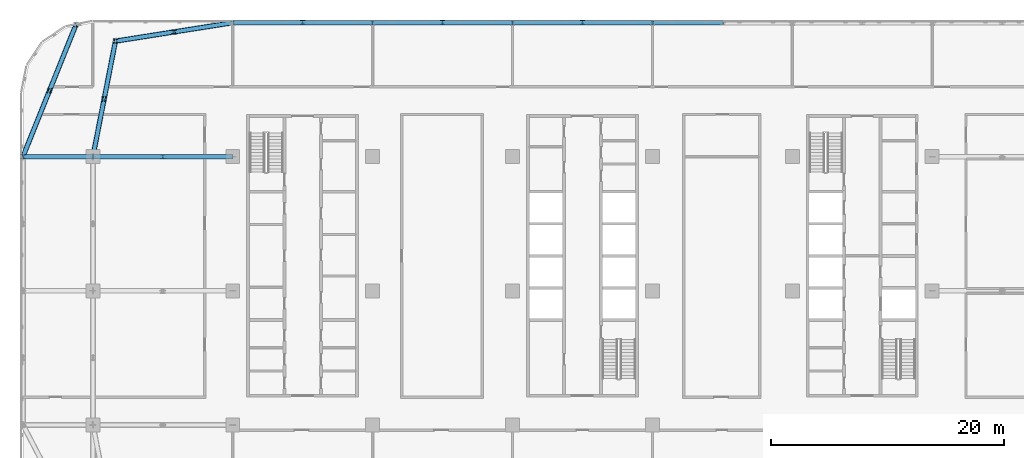
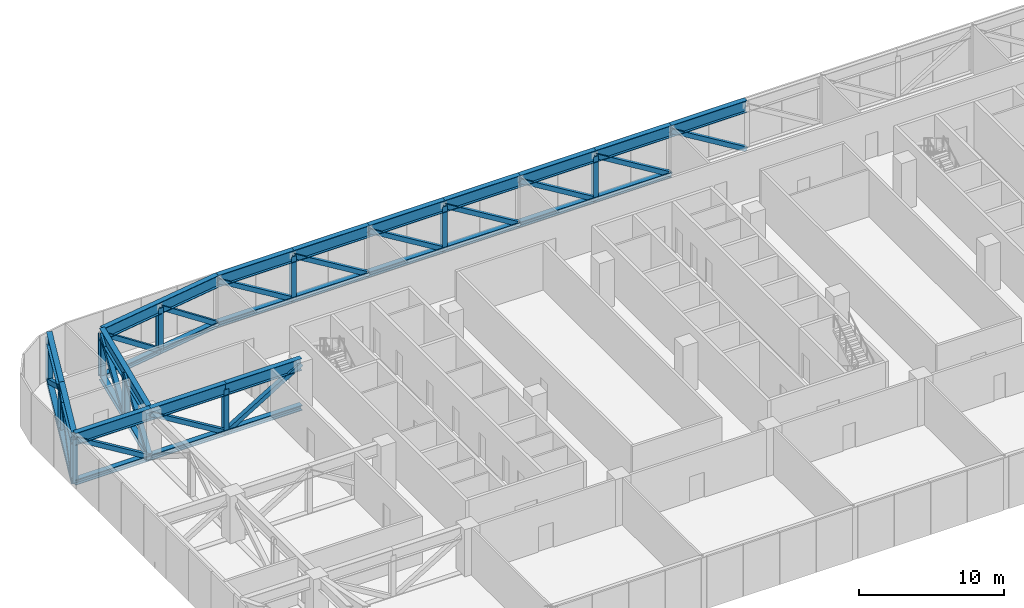
# One storey, part 5 of 26: 49 members.
"""IFC4 building model written with IfcOpenShell, lengths in metres."""

import ifcopenshell
import ifcopenshell.guid

model = None  # the IFC model being written
_history = None  # IfcOwnerHistory: only IFC2X3 demands one
_inside = {}  # id of a spatial element -> (the spatial element, [elements in it])
_under = {}  # id of a project, library or spatial element -> (it, [spatial elements below it])
_declared = {}  # id of a project -> (the project, [libraries it declares])
_typed = {}  # id of a type object -> (the type object, [elements of that type])
_made_of = {}  # id of a material, layer set ... -> (it, [elements and type objects made of it])


def new_model(schema):
    """Start an empty IFC model of exactly this schema.

    Asked for "IFC4X3", IfcOpenShell would pick the latest addendum, in which some entities
    have other attributes; the version numbers below select the first issue.
    IFC2X3 requires an IfcOwnerHistory on every rooted entity: one is made here for all.
    """
    global model, _history
    if schema == "IFC4X3":
        model = ifcopenshell.file(schema_version=(4, 3, 0, 0))
    else:
        model = ifcopenshell.file(schema=schema)
    _inside.clear()
    _under.clear()
    _declared.clear()
    _typed.clear()
    _made_of.clear()
    _history = None
    if model.schema == "IFC2X3":
        org = make("IfcOrganization", Name="unknown")
        user = make(
            "IfcPersonAndOrganization",
            ThePerson=make("IfcPerson", FamilyName="unknown"),
            TheOrganization=org,
        )
        app = make(
            "IfcApplication",
            ApplicationDeveloper=org,
            Version="unknown",
            ApplicationFullName="unknown",
            ApplicationIdentifier="unknown",
        )
        _history = make(
            "IfcOwnerHistory",
            OwningUser=user,
            OwningApplication=app,
            ChangeAction="ADDED",
            CreationDate=0,
        )
    return model


def make(cls, **values):
    """One entity of the class cls with the attributes given. An attribute that is None is left unset."""
    return model.create_entity(
        cls, **{name: value for name, value in values.items() if value is not None}
    )


def rooted(cls, **values):
    """An entity with a GlobalId (a new one), such as an element, a storey or a relation."""
    return make(cls, GlobalId=ifcopenshell.guid.new(), OwnerHistory=_history, **values)


def si_unit(unit_type, name, prefix=None):
    """IfcSIUnit, for example si_unit("LENGTHUNIT", "METRE", prefix="MILLI")."""
    return make("IfcSIUnit", UnitType=unit_type, Prefix=prefix, Name=name)


def assignment(units):
    """IfcUnitAssignment: the units of a project."""
    return None if units is None else make("IfcUnitAssignment", Units=units)


def point(xyz):
    """IfcCartesianPoint."""
    return None if xyz is None else make("IfcCartesianPoint", Coordinates=xyz)


def direction(xyz):
    """IfcDirection."""
    return None if xyz is None else make("IfcDirection", DirectionRatios=xyz)


def frame(location, z_axis=None, x_axis=None):
    """IfcAxis2Placement3D, a coordinate frame: its origin and axes. An axis left out is left unset."""
    return make(
        "IfcAxis2Placement3D",
        Location=point(location),
        Axis=direction(z_axis),
        RefDirection=direction(x_axis),
    )


def frame_2d(location, x_axis=None):
    """IfcAxis2Placement2D, a coordinate frame in the plane: its origin and x axis."""
    return make(
        "IfcAxis2Placement2D", Location=point(location), RefDirection=direction(x_axis)
    )


def origin():
    """The frame at (0, 0, 0) with its axes left unset."""
    return frame((0.0, 0.0, 0.0))


def origin_2d():
    """The frame at (0, 0) in the plane with its x axis left unset."""
    return frame_2d((0.0, 0.0))


def place(relative_to, where):
    """IfcLocalPlacement: puts the frame where relative to a parent placement (None: the world)."""
    return make(
        "IfcLocalPlacement", PlacementRelTo=relative_to, RelativePlacement=where
    )


def context(
    kind, dimensions, precision=None, world=None, true_north=None, identifier=None
):
    """IfcGeometricRepresentationContext, for example the 3D "Model" context."""
    return make(
        "IfcGeometricRepresentationContext",
        ContextIdentifier=identifier,
        ContextType=kind,
        CoordinateSpaceDimension=dimensions,
        Precision=precision,
        WorldCoordinateSystem=world,
        TrueNorth=true_north,
    )


def subcontext(parent, identifier, kind, view, scale=None):
    """IfcGeometricRepresentationSubContext, for example "Body" below "Model"."""
    return make(
        "IfcGeometricRepresentationSubContext",
        ContextIdentifier=identifier,
        ContextType=kind,
        ParentContext=parent,
        TargetScale=scale,
        TargetView=view,
    )


def project(units=None, contexts=None):
    """IfcProject with its units and contexts."""
    return rooted(
        "IfcProject",
        Name="project",
        RepresentationContexts=contexts,
        UnitsInContext=assignment(units),
    )


def spatial(cls, under=None, at=None, **own):
    """A site, building, storey or space (cls), placed at a placement, below another one or the project."""
    s = rooted(cls, ObjectPlacement=at, **own)
    if under is not None:
        _under.setdefault(under.id(), (under, []))[1].append(s)
    return s


def profile(cls, at=None, kind="AREA", **sizes):
    """A parametric profile (cls). Its sizes go by their IFC names, for example OverallWidth=200.0."""
    return make(cls, ProfileType=kind, Position=at, **sizes)


def hollow_rectangle(**sizes):
    """IfcRectangleHollowProfileDef."""
    return profile("IfcRectangleHollowProfileDef", **sizes)


def i_section(**sizes):
    """IfcIShapeProfileDef."""
    return profile("IfcIShapeProfileDef", **sizes)


def extrude(swept, where, along, depth):
    """IfcExtrudedAreaSolid: the profile swept, set in the frame where, extruded along a direction by depth."""
    return make(
        "IfcExtrudedAreaSolid",
        SweptArea=swept,
        Position=where,
        ExtrudedDirection=direction(along),
        Depth=depth,
    )


def shape(context_of_items, identifier, shape_type, items):
    """IfcShapeRepresentation: the items that make up one representation, for example the "Body"."""
    return make(
        "IfcShapeRepresentation",
        ContextOfItems=context_of_items,
        RepresentationIdentifier=identifier,
        RepresentationType=shape_type,
        Items=items,
    )


def material(Name=None, Category=None):
    """IfcMaterial."""
    return make("IfcMaterial", Name=Name, Category=Category)


def material_profile(
    of_material, cross_section, Name=None, Category=None, Priority=None
):
    """IfcMaterialProfile: a cross section and its material."""
    return make(
        "IfcMaterialProfile",
        Name=Name,
        Material=of_material,
        Profile=cross_section,
        Priority=Priority,
        Category=Category,
    )


def profile_set(profiles, Name=None, composite=None):
    """IfcMaterialProfileSet."""
    return make(
        "IfcMaterialProfileSet",
        Name=Name,
        MaterialProfiles=profiles,
        CompositeProfile=composite,
    )


def made_of(thing, what):
    """Note that an element or type object is made of a material, layer set ...; save() writes the relation."""
    if what is not None:
        _made_of.setdefault(what.id(), (what, []))[1].append(thing)
    return thing


def type_object(cls, material=None, **own):
    """A type object (cls), such as IfcWallType, which elements share."""
    return made_of(rooted(cls, **own), material)


def element(
    cls,
    number,
    at=None,
    inside=None,
    cuts=None,
    type_object=None,
    material=None,
    context=None,
    identifier="Body",
    shape_type=None,
    held_by="IfcProductDefinitionShape",
    body=None,
    shapes=None,
    **own,
):
    """One element of the class cls, such as IfcWall. Its Tag is "e" and its number.

    at: its placement. inside: the storey or other place that contains it. cuts: it is an
    opening in that element (IfcRelVoidsElement). A single representation is given by context,
    identifier, shape_type and body (its items); several are given by shapes. held_by: the class
    of the entity that holds the representations. save() writes the other relations.
    """
    e = rooted(cls, Tag="e%d" % number, ObjectPlacement=at, **own)
    if body is not None:
        shapes = [shape(context, identifier, shape_type, body)]
    if shapes is not None:
        e.Representation = make(held_by, Representations=shapes)
    if inside is not None:
        _inside.setdefault(inside.id(), (inside, []))[1].append(e)
    if cuts is not None:
        rooted(
            "IfcRelVoidsElement", RelatingBuildingElement=cuts, RelatedOpeningElement=e
        )
    if type_object is not None:
        _typed.setdefault(type_object.id(), (type_object, []))[1].append(e)
    return made_of(e, material)


def aggregate(whole, parts):
    """IfcRelAggregates: a whole, such as a stair, and the parts it consists of."""
    return rooted("IfcRelAggregates", RelatingObject=whole, RelatedObjects=parts)


def save(model, path):
    """Write the relations noted so far, then the file.

    IfcRelAggregates (storeys below a building ...), IfcRelContainedInSpatialStructure (elements
    in a storey), IfcRelDefinesByType, IfcRelAssociatesMaterial and IfcRelDeclares: one each for
    every whole, place, type object, material and project.
    """
    for whole, parts in _under.values():
        aggregate(whole, parts)
    for where, things in _inside.values():
        rooted(
            "IfcRelContainedInSpatialStructure",
            RelatedElements=things,
            RelatingStructure=where,
        )
    for kind, things in _typed.values():
        rooted("IfcRelDefinesByType", RelatedObjects=things, RelatingType=kind)
    for what, things in _made_of.values():
        rooted("IfcRelAssociatesMaterial", RelatedObjects=things, RelatingMaterial=what)
    for by, libraries in _declared.values():
        rooted("IfcRelDeclares", RelatingContext=by, RelatedDefinitions=libraries)
    model.write(path)


model = new_model("IFC4")

# Units and contexts
model_context = context("Model", 3, precision=1e-05, world=origin(), true_north=direction((0.0, 1.0)))
body_context = subcontext(model_context, "Body", "Model", "MODEL_VIEW")
ifc_project = project(units=[si_unit("LENGTHUNIT", "METRE"), si_unit("AREAUNIT", "SQUARE_METRE"), si_unit("VOLUMEUNIT", "CUBIC_METRE"), si_unit("PLANEANGLEUNIT", "RADIAN"), si_unit("MASSUNIT", "GRAM", prefix="KILO")], contexts=[model_context])

# Site, building, storey
site_placement = place(None, origin())
site = spatial("IfcSite", under=ifc_project, at=site_placement, CompositionType="ELEMENT")
building_placement = place(site_placement, origin())
building = spatial("IfcBuilding", under=site, at=building_placement, Name="Mahtab Terrace Research Tower", CompositionType="ELEMENT")
storey_placement = place(building_placement, frame((0.0, 0.0, 189.60009765625)))
storey = spatial("IfcBuildingStorey", under=building, at=storey_placement, Name="L45", CompositionType="ELEMENT", Elevation=189.60009765625)

# Members
ifc_material_1 = material(Name="Steel ASTM A500 Gr C", Category="steel")
ifc_material_profile_1 = material_profile(ifc_material_1, hollow_rectangle(XDim=0.355712890625, YDim=0.355712890625, WallThickness=0.015869140625, at=origin_2d()), Name="HSS14X14X5/8")
ifc_profile_set_1 = profile_set([ifc_material_profile_1], Name="Steel ASTM A500 Gr C")
member_type_1 = type_object("IfcMemberType", Name="HSS 14x14x5/8 brace TD141458", PredefinedType="BRACE", material=ifc_profile_set_1)
member_1_placement = place(storey_placement, frame((-48.0, 11.5, -0.177734375), z_axis=(0.320404743884, 0.796956103457, 0.512056412184), x_axis=(-0.927823987335, 0.373018295163, 0.0)))
element("IfcMember", 1, at=member_1_placement, inside=storey, type_object=member_type_1, Name="Transfer truss T5 diagonal 007", PredefinedType="BRACE", context=body_context, shape_type="SweptSolid", body=[
    extrude(hollow_rectangle(XDim=0.355712890625, YDim=0.355712890625, WallThickness=0.015869140625, at=origin_2d()), origin(), (0.0, 0.0, 1.0), 7.10302734375),
])
member_2_placement = place(storey_placement, frame((-42.0, 11.5, -0.177734375), z_axis=(-0.855144546512, 0.0, 0.518389626218), x_axis=(0.0, -1.0, 0.0)))
element("IfcMember", 2, at=member_2_placement, inside=storey, type_object=member_type_1, Name="Transfer truss T5 diagonal 008", PredefinedType="BRACE", context=body_context, shape_type="SweptSolid", body=[
    extrude(hollow_rectangle(XDim=0.355712890625, YDim=0.355712890625, WallThickness=0.015869140625, at=origin_2d()), origin(), (0.0, 0.0, 1.0), 7.016357421875),
])
member_3_placement = place(storey_placement, frame((-43.447998046875, 22.822021484375, -0.177734375), z_axis=(-0.320426808693, -0.796959866992, 0.512036747388), x_axis=(0.92781570636, -0.373038892116, 0.0)))
element("IfcMember", 3, at=member_3_placement, inside=storey, type_object=member_type_1, Name="Transfer truss T5 diagonal 010", PredefinedType="BRACE", context=body_context, shape_type="SweptSolid", body=[
    extrude(hollow_rectangle(XDim=0.355712890625, YDim=0.355712890625, WallThickness=0.015869140625, at=origin_2d()), origin(), (0.0, 0.0, 1.0), 7.103515625),
])
member_4_placement = place(storey_placement, frame((-36.0, 11.5, -0.177734375), z_axis=(-0.855144546512, 0.0, 0.518389626218), x_axis=(0.0, -1.0, 0.0)))
element("IfcMember", 4, at=member_4_placement, inside=storey, type_object=member_type_1, Name="Transfer truss T5 diagonal 022", PredefinedType="BRACE", context=body_context, shape_type="SweptSolid", body=[
    extrude(hollow_rectangle(XDim=0.355712890625, YDim=0.355712890625, WallThickness=0.015869140625, at=origin_2d()), origin(), (0.0, 0.0, 1.0), 7.016357421875),
])
for number, where, z_axis, x_axis, name in (
    (5, (-42.0, 11.5, -0.177734375), (0.1556628319, 0.79647286224, 0.584294499786), (-0.981431833016, 0.191811253951, 0.0), "Transfer truss T5 diagonal 024"),
    (6, (-41.031005859375, 16.4580078125, -0.177734375), (0.1556628319, 0.79647286224, 0.584294499786), (-0.981431833016, 0.191811253951, 0.0), "Transfer truss T5 diagonal 026"),
):
    element("IfcMember", number, at=place(storey_placement, frame(where, z_axis=z_axis, x_axis=x_axis)), inside=storey, type_object=member_type_1, Name=name, PredefinedType="BRACE", context=body_context, shape_type="SweptSolid", body=[
        extrude(hollow_rectangle(XDim=0.355712890625, YDim=0.355712890625, WallThickness=0.015869140625, at=origin_2d()), origin(), (0.0, 0.0, 1.0), 6.224853515625),
    ])
member_5_placement = place(storey_placement, frame((-36.0, 11.5, -0.177734375), z_axis=(0.855144546512, 0.0, 0.518389626218), x_axis=(0.0, 1.0, 0.0)))
element("IfcMember", 7, at=member_5_placement, inside=storey, type_object=member_type_1, Name="Transfer truss T5 diagonal 029", PredefinedType="BRACE", context=body_context, shape_type="SweptSolid", body=[
    extrude(hollow_rectangle(XDim=0.355712890625, YDim=0.355712890625, WallThickness=0.015869140625, at=origin_2d()), origin(), (0.0, 0.0, 1.0), 7.016357421875),
])
for number, where, z_axis, x_axis, name in (
    (8, (-35.031005859375, 22.2080078125, -0.177734375), (-0.803880768262, -0.126548707344, 0.581172207773), (0.155507156777, -0.987834765632, 0.0), "Transfer truss T5 diagonal 031"),
    (9, (-30.0, 23.0, -0.177734375), (-0.803880768262, -0.126548707344, 0.581172207773), (0.155507156777, -0.987834765632, 0.0), "Transfer truss T5 diagonal 033"),
):
    element("IfcMember", number, at=place(storey_placement, frame(where, z_axis=z_axis, x_axis=x_axis)), inside=storey, type_object=member_type_1, Name=name, PredefinedType="BRACE", context=body_context, shape_type="SweptSolid", body=[
        extrude(hollow_rectangle(XDim=0.355712890625, YDim=0.355712890625, WallThickness=0.015869140625, at=origin_2d()), origin(), (0.0, 0.0, 1.0), 6.25830078125),
    ])
for number, where, z_axis, x_axis, name in (
    (10, (-24.0, 23.0, -0.177734375), (-0.855144546512, 0.0, 0.518389626218), (0.0, -1.0, 0.0), "Transfer truss T5 diagonal 035"),
    (11, (-18.0, 23.0, -0.177734375), (-0.855144546512, 0.0, 0.518389626218), (0.0, -1.0, 0.0), "Transfer truss T5 diagonal 037"),
    (12, (-12.0, 23.0, -0.177734375), (-0.855144546512, 0.0, 0.518389626218), (0.0, -1.0, 0.0), "Transfer truss T5 diagonal 039"),
    (13, (-6.0, 23.0, -0.177734375), (-0.855144546512, 0.0, 0.518389626218), (0.0, -1.0, 0.0), "Transfer truss T5 diagonal 041"),
    (14, (0.0, 23.0, -0.177734375), (-0.855144546512, 0.0, 0.518389626218), (0.0, -1.0, 0.0), "Transfer truss T5 diagonal 043"),
    (15, (6.0, 23.0, -0.177734375), (-0.855144546512, 0.0, 0.518389626218), (0.0, -1.0, 0.0), "Transfer truss T5 diagonal 045"),
    (16, (12.0, 23.0, -0.177734375), (-0.855144546512, 0.0, 0.518389626218), (0.0, -1.0, 0.0), "Transfer truss T5 diagonal 047"),
):
    element("IfcMember", number, at=place(storey_placement, frame(where, z_axis=z_axis, x_axis=x_axis)), inside=storey, type_object=member_type_1, Name=name, PredefinedType="BRACE", context=body_context, shape_type="SweptSolid", body=[
        extrude(hollow_rectangle(XDim=0.355712890625, YDim=0.355712890625, WallThickness=0.015869140625, at=origin_2d()), origin(), (0.0, 0.0, 1.0), 7.016357421875),
    ])
ifc_material_2 = material(Name="Steel ASTM A992 Gr 50", Category="steel")
ifc_material_profile_2 = material_profile(ifc_material_2, i_section(OverallWidth=0.396240234375, OverallDepth=0.381103515625, WebThickness=0.018798828125, FlangeThickness=0.0302734375, at=origin_2d()), Name="W14X159")
ifc_profile_set_2 = profile_set([ifc_material_profile_2], Name="Steel ASTM A992 Gr 50")
member_type_2 = type_object("IfcMemberType", Name="W14x159 post TP14159", PredefinedType="POST", material=ifc_profile_set_2)
for number, where, z_axis, x_axis, name in (
    (17, (-48.0, 11.5, -0.177734375), (0.0, 0.0, 1.0), (1.0, 0.0, 0.0), "Transfer truss T5 post 005"),
    (18, (-45.719970703125, 17.159912109375, -0.177734375), (0.0, 0.0, 1.0), (1.0, 0.0, 0.0), "Transfer truss T5 post 007"),
    (19, (-43.449951171875, 22.820068359375, -0.177734375), (0.0, 0.0, 1.0), (1.0, 0.0, 0.0), "Transfer truss T5 post 009"),
    (20, (-41.030029296875, 16.4599609375, -0.177734375), (0.0, 0.0, 1.0), (1.0, 0.0, 0.0), "Transfer truss T5 post 018"),
    (21, (-40.06005859375, 21.419921875, -0.177734375), (0.0, 0.0, 1.0), (1.0, 0.0, 0.0), "Transfer truss T5 post 020"),
    (22, (-36.0, 11.5, -0.177734375), (0.0, 0.0, 1.0), (1.0, 0.0, 0.0), "Transfer truss T5 post 023"),
    (23, (-35.030029296875, 22.2099609375, -0.177734375), (0.0, 0.0, 1.0), (1.0, 0.0, 0.0), "Transfer truss T5 post 025"),
    (24, (-24.0, 23.0, -0.177734375), (0.0, 0.0, 1.0), (1.0, 0.0, 0.0), "Transfer truss T5 post 032"),
    (25, (-12.0, 23.0, -0.177734375), (0.0, 0.0, 1.0), (1.0, 0.0, 0.0), "Transfer truss T5 post 036"),
    (26, (0.0, 23.0, -0.177734375), (0.0, 0.0, 1.0), (1.0, 0.0, 0.0), "Transfer truss T5 post 040"),
):
    element("IfcMember", number, at=place(storey_placement, frame(where, z_axis=z_axis, x_axis=x_axis)), inside=storey, type_object=member_type_2, Name=name, PredefinedType="POST", context=body_context, shape_type="SweptSolid", body=[
        extrude(i_section(OverallWidth=0.396240234375, OverallDepth=0.381103515625, WebThickness=0.018798828125, FlangeThickness=0.0302734375, at=origin_2d()), origin(), (0.0, 0.0, 1.0), 3.63720703125),
    ])
ifc_material_profile_3 = material_profile(ifc_material_2, i_section(OverallWidth=0.41650390625, OverallDepth=0.444580078125, WebThickness=0.0390625, FlangeThickness=0.062744140625, at=origin_2d()), Name="W14X342")
ifc_profile_set_3 = profile_set([ifc_material_profile_3], Name="Steel ASTM A992 Gr 50")
member_type_3 = type_object("IfcMemberType", Name="W14x342 chord TC14342", PredefinedType="CHORD", material=ifc_profile_set_3)
member_6_placement = place(storey_placement, frame((-48.0, 11.5, -0.177734375), z_axis=(0.373018295163, 0.927823987335, 0.0), x_axis=(-0.927823987335, 0.373018295163, 0.0)))
element("IfcMember", 27, at=member_6_placement, inside=storey, type_object=member_type_3, Name="Transfer truss T5 bottom chord 009", PredefinedType="CHORD", context=body_context, shape_type="SweptSolid", body=[
    extrude(i_section(OverallWidth=0.41650390625, OverallDepth=0.444580078125, WebThickness=0.0390625, FlangeThickness=0.062744140625, at=origin_2d()), origin(), (0.0, 0.0, 1.0), 6.101318359375),
])
member_7_placement = place(storey_placement, frame((-45.72412109375, 17.160888671875, -0.177734375), z_axis=(0.373038892116, 0.92781570636, 0.0), x_axis=(-0.92781570636, 0.373038892116, 0.0)))
element("IfcMember", 28, at=member_7_placement, inside=storey, type_object=member_type_3, Name="Transfer truss T5 bottom chord 010", PredefinedType="CHORD", context=body_context, shape_type="SweptSolid", body=[
    extrude(i_section(OverallWidth=0.41650390625, OverallDepth=0.444580078125, WebThickness=0.0390625, FlangeThickness=0.062744140625, at=origin_2d()), origin(), (0.0, 0.0, 1.0), 6.1015625),
])
member_8_placement = place(storey_placement, frame((-48.0, 11.5, -0.177734375), z_axis=(1.0, 0.0, 0.0), x_axis=(0.0, 1.0, 0.0)))
element("IfcMember", 29, at=member_8_placement, inside=storey, type_object=member_type_3, Name="Transfer truss T5 bottom chord 011", PredefinedType="CHORD", context=body_context, shape_type="SweptSolid", body=[
    extrude(i_section(OverallWidth=0.41650390625, OverallDepth=0.444580078125, WebThickness=0.0390625, FlangeThickness=0.062744140625, at=origin_2d()), origin(), (0.0, 0.0, 1.0), 6.0),
])
member_9_placement = place(storey_placement, frame((-42.0, 11.5, -0.177734375), z_axis=(1.0, 0.0, 0.0), x_axis=(0.0, 1.0, 0.0)))
element("IfcMember", 30, at=member_9_placement, inside=storey, type_object=member_type_3, Name="Transfer truss T5 bottom chord 012", PredefinedType="CHORD", context=body_context, shape_type="SweptSolid", body=[
    extrude(i_section(OverallWidth=0.41650390625, OverallDepth=0.444580078125, WebThickness=0.0390625, FlangeThickness=0.062744140625, at=origin_2d()), origin(), (0.0, 0.0, 1.0), 12.0),
])
member_10_placement = place(storey_placement, frame((-40.06201171875, 21.416015625, -0.177734375), z_axis=(-0.191811253951, -0.981431833016, 0.0), x_axis=(0.981431833016, -0.191811253951, 0.0)))
element("IfcMember", 31, at=member_10_placement, inside=storey, type_object=member_type_3, Name="Transfer truss T5 bottom chord 017", PredefinedType="CHORD", context=body_context, shape_type="SweptSolid", body=[
    extrude(i_section(OverallWidth=0.41650390625, OverallDepth=0.444580078125, WebThickness=0.0390625, FlangeThickness=0.062744140625, at=origin_2d()), origin(), (0.0, 0.0, 1.0), 10.103515625),
])
member_11_placement = place(storey_placement, frame((-30.0, 23.0, -0.177734375), z_axis=(-0.987834765632, -0.155507156777, 0.0), x_axis=(0.155507156777, -0.987834765632, 0.0)))
element("IfcMember", 32, at=member_11_placement, inside=storey, type_object=member_type_3, Name="Transfer truss T5 bottom chord 019", PredefinedType="CHORD", context=body_context, shape_type="SweptSolid", body=[
    extrude(i_section(OverallWidth=0.41650390625, OverallDepth=0.444580078125, WebThickness=0.0390625, FlangeThickness=0.062744140625, at=origin_2d()), origin(), (0.0, 0.0, 1.0), 10.18603515625),
])
for number, where, z_axis, x_axis, name in (
    (33, (6.0, 23.0, -0.177734375), (-1.0, 0.0, 0.0), (0.0, -1.0, 0.0), "Transfer truss T5 bottom chord 029"),
    (34, (-6.0, 23.0, -0.177734375), (-1.0, 0.0, 0.0), (0.0, -1.0, 0.0), "Transfer truss T5 bottom chord 030"),
    (35, (-18.0, 23.0, -0.177734375), (-1.0, 0.0, 0.0), (0.0, -1.0, 0.0), "Transfer truss T5 bottom chord 031"),
):
    element("IfcMember", number, at=place(storey_placement, frame(where, z_axis=z_axis, x_axis=x_axis)), inside=storey, type_object=member_type_3, Name=name, PredefinedType="CHORD", context=body_context, shape_type="SweptSolid", body=[
        extrude(i_section(OverallWidth=0.41650390625, OverallDepth=0.444580078125, WebThickness=0.0390625, FlangeThickness=0.062744140625, at=origin_2d()), origin(), (0.0, 0.0, 1.0), 12.0),
    ])
ifc_material_profile_4 = material_profile(ifc_material_2, i_section(OverallWidth=0.4013671875, OverallDepth=1.000732421875, WebThickness=0.01904296875, FlangeThickness=0.0361328125, at=origin_2d()), Name="W40X249")
ifc_profile_set_4 = profile_set([ifc_material_profile_4], Name="Steel ASTM A992 Gr 50")
member_type_4 = type_object("IfcMemberType", Name="W40x249 chord TT40249", PredefinedType="CHORD", material=ifc_profile_set_4)
member_12_placement = place(storey_placement, frame((-48.0, 11.5, 3.45947265625), z_axis=(0.373018295163, 0.927823987335, 0.0), x_axis=(-0.927823987335, 0.373018295163, 0.0)))
element("IfcMember", 36, at=member_12_placement, inside=storey, type_object=member_type_4, Name="Transfer truss T5 top chord 011", PredefinedType="CHORD", context=body_context, shape_type="SweptSolid", body=[
    extrude(i_section(OverallWidth=0.4013671875, OverallDepth=1.000732421875, WebThickness=0.01904296875, FlangeThickness=0.0361328125, at=origin_2d()), origin(), (0.0, 0.0, 1.0), 6.101318359375),
])
member_13_placement = place(storey_placement, frame((-45.72412109375, 17.160888671875, 3.45947265625), z_axis=(0.373038892116, 0.92781570636, 0.0), x_axis=(-0.92781570636, 0.373038892116, 0.0)))
element("IfcMember", 37, at=member_13_placement, inside=storey, type_object=member_type_4, Name="Transfer truss T5 top chord 012", PredefinedType="CHORD", context=body_context, shape_type="SweptSolid", body=[
    extrude(i_section(OverallWidth=0.4013671875, OverallDepth=1.000732421875, WebThickness=0.01904296875, FlangeThickness=0.0361328125, at=origin_2d()), origin(), (0.0, 0.0, 1.0), 6.1015625),
])
for number, where, z_axis, x_axis, name in (
    (38, (-48.0, 11.5, 3.45947265625), (1.0, 0.0, 0.0), (0.0, 1.0, 0.0), "Transfer truss T5 top chord 013"),
    (39, (-42.0, 11.5, 3.45947265625), (1.0, 0.0, 0.0), (0.0, 1.0, 0.0), "Transfer truss T5 top chord 014"),
    (40, (-36.0, 11.5, 3.45947265625), (1.0, 0.0, 0.0), (0.0, 1.0, 0.0), "Transfer truss T5 top chord 015"),
):
    element("IfcMember", number, at=place(storey_placement, frame(where, z_axis=z_axis, x_axis=x_axis)), inside=storey, type_object=member_type_4, Name=name, PredefinedType="CHORD", context=body_context, shape_type="SweptSolid", body=[
        extrude(i_section(OverallWidth=0.4013671875, OverallDepth=1.000732421875, WebThickness=0.01904296875, FlangeThickness=0.0361328125, at=origin_2d()), origin(), (0.0, 0.0, 1.0), 6.0),
    ])
member_14_placement = place(storey_placement, frame((-40.06201171875, 21.416015625, 3.45947265625), z_axis=(-0.191811253951, -0.981431833016, 0.0), x_axis=(0.981431833016, -0.191811253951, 0.0)))
element("IfcMember", 41, at=member_14_placement, inside=storey, type_object=member_type_4, Name="Transfer truss T5 top chord 020", PredefinedType="CHORD", context=body_context, shape_type="SweptSolid", body=[
    extrude(i_section(OverallWidth=0.4013671875, OverallDepth=1.000732421875, WebThickness=0.01904296875, FlangeThickness=0.0361328125, at=origin_2d()), origin(), (0.0, 0.0, 1.0), 10.103515625),
])
member_15_placement = place(storey_placement, frame((-30.0, 23.0, 3.45947265625), z_axis=(-0.987834765632, -0.155507156777, 0.0), x_axis=(0.155507156777, -0.987834765632, 0.0)))
element("IfcMember", 42, at=member_15_placement, inside=storey, type_object=member_type_4, Name="Transfer truss T5 top chord 022", PredefinedType="CHORD", context=body_context, shape_type="SweptSolid", body=[
    extrude(i_section(OverallWidth=0.4013671875, OverallDepth=1.000732421875, WebThickness=0.01904296875, FlangeThickness=0.0361328125, at=origin_2d()), origin(), (0.0, 0.0, 1.0), 10.18603515625),
])
for number, where, z_axis, x_axis, name in (
    (43, (12.0, 23.0, 3.45947265625), (-1.0, 0.0, 0.0), (0.0, -1.0, 0.0), "Transfer truss T5 top chord 040"),
    (44, (6.0, 23.0, 3.45947265625), (-1.0, 0.0, 0.0), (0.0, -1.0, 0.0), "Transfer truss T5 top chord 041"),
    (45, (0.0, 23.0, 3.45947265625), (-1.0, 0.0, 0.0), (0.0, -1.0, 0.0), "Transfer truss T5 top chord 042"),
    (46, (-6.0, 23.0, 3.45947265625), (-1.0, 0.0, 0.0), (0.0, -1.0, 0.0), "Transfer truss T5 top chord 043"),
    (47, (-12.0, 23.0, 3.45947265625), (-1.0, 0.0, 0.0), (0.0, -1.0, 0.0), "Transfer truss T5 top chord 044"),
    (48, (-18.0, 23.0, 3.45947265625), (-1.0, 0.0, 0.0), (0.0, -1.0, 0.0), "Transfer truss T5 top chord 045"),
    (49, (-24.0, 23.0, 3.45947265625), (-1.0, 0.0, 0.0), (0.0, -1.0, 0.0), "Transfer truss T5 top chord 046"),
):
    element("IfcMember", number, at=place(storey_placement, frame(where, z_axis=z_axis, x_axis=x_axis)), inside=storey, type_object=member_type_4, Name=name, PredefinedType="CHORD", context=body_context, shape_type="SweptSolid", body=[
        extrude(i_section(OverallWidth=0.4013671875, OverallDepth=1.000732421875, WebThickness=0.01904296875, FlangeThickness=0.0361328125, at=origin_2d()), origin(), (0.0, 0.0, 1.0), 6.0),
    ])

save(model, "model.ifc")
